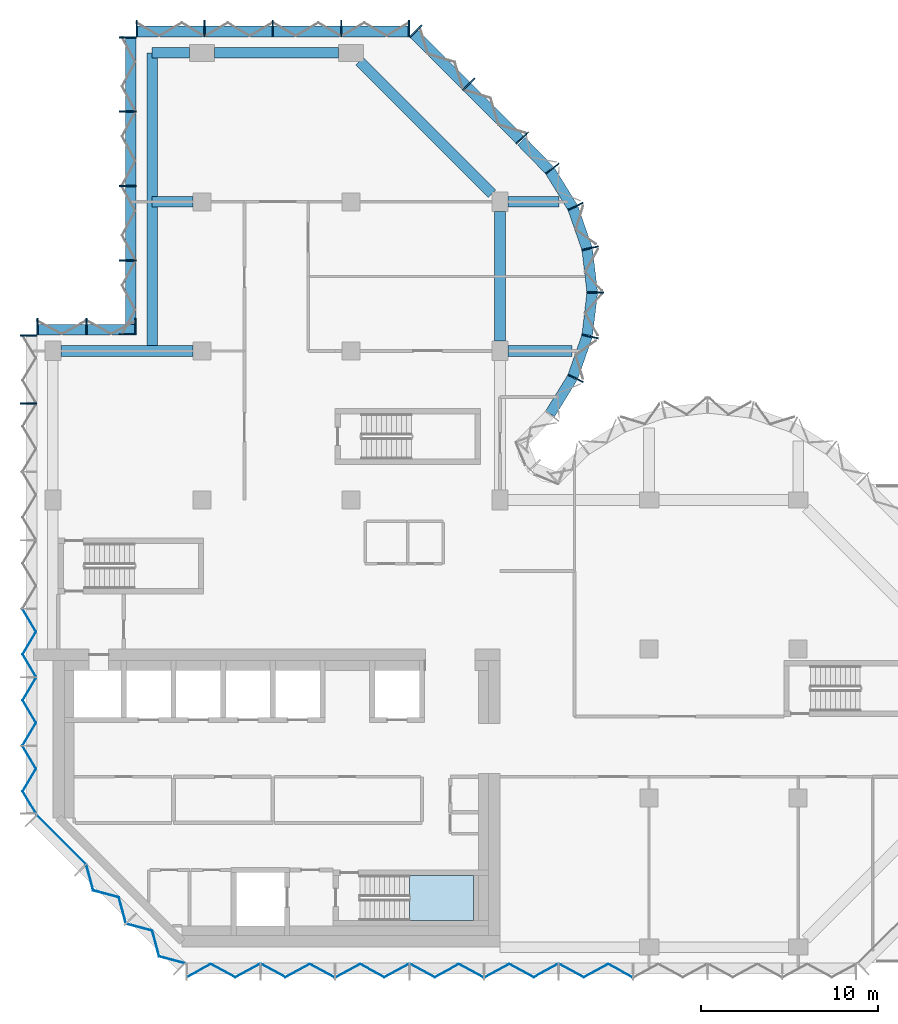
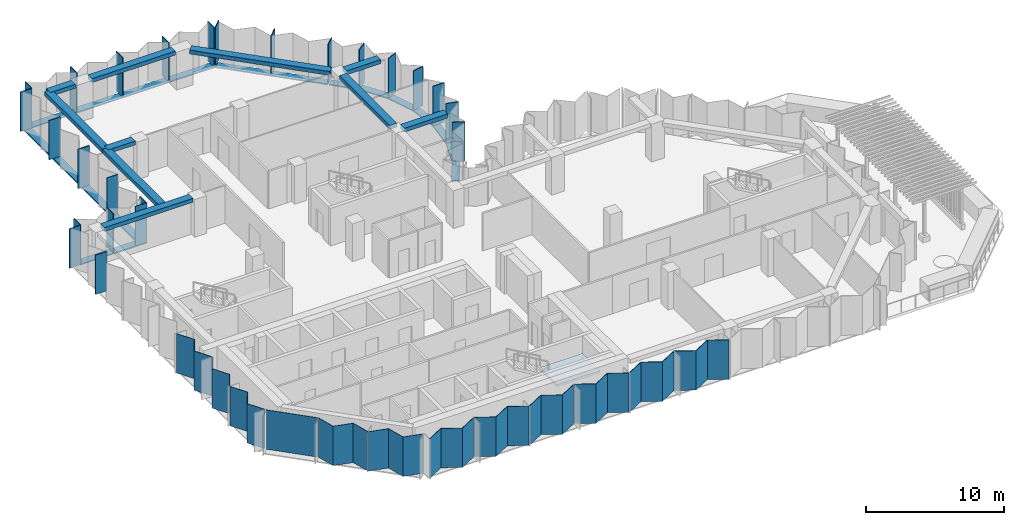
# One storey, part 5 of 14: 35 members, 12 plates, 10 beams, 1 slab, 9 elements without a shape of their own.
"""IFC4 building model written with IfcOpenShell, lengths in metres."""

from ifc_helpers import new_model, si_unit, direction, frame, origin, origin_2d, place, context, subcontext, project, spatial, polyline, rectangle, outline, extrude, material, layer, layer_set, material_profile, profile_set, type_object, element, aggregate, save


model = new_model("IFC4")

# Units and contexts
model_context = context("Model", 3, precision=1e-05, world=origin(), true_north=direction((0.0, 1.0)))
body_context = subcontext(model_context, "Body", "Model", "MODEL_VIEW")
ifc_project = project(units=[si_unit("LENGTHUNIT", "METRE"), si_unit("AREAUNIT", "SQUARE_METRE"), si_unit("VOLUMEUNIT", "CUBIC_METRE"), si_unit("PLANEANGLEUNIT", "RADIAN"), si_unit("MASSUNIT", "GRAM", prefix="KILO")], contexts=[model_context])

# Site, building, storey
site_placement = place(None, origin())
site = spatial("IfcSite", under=ifc_project, at=site_placement, CompositionType="ELEMENT")
building_placement = place(site_placement, origin())
building = spatial("IfcBuilding", under=site, at=building_placement, Name="Brevane Broadcast Tower", CompositionType="ELEMENT")
storey_placement = place(building_placement, frame((0.0, 0.0, 184.800048828125)))
storey = spatial("IfcBuildingStorey", under=building, at=storey_placement, Name="L46", CompositionType="ELEMENT", Elevation=184.800048828125)

# Curtain wall, members
ifc_material_1 = material(Name="Aluminium 6063-T6 bronze anodised", Category="aluminium")
curtain_wall_type = type_object("IfcCurtainWallType", Name="CW-1 curtain wall", PredefinedType="NOTDEFINED", material=ifc_material_1)
curtain_wall_1_placement = place(storey_placement, origin())
curtain_wall_1 = element("IfcCurtainWall", 1, at=curtain_wall_1_placement, inside=storey, type_object=curtain_wall_type, Name="CW-1 typical tilted unit L46 north bow", PredefinedType="NOTDEFINED")
ifc_material_profile_1 = material_profile(ifc_material_1, rectangle(XDim=0.949951171875, YDim=0.070068359375, at=origin_2d()), Name="RECT 70x950")
ifc_profile_set_1 = profile_set([ifc_material_profile_1], Name="Aluminium 6063-T6 bronze anodised")
member_type_1 = type_object("IfcMemberType", Name="CW-1 mullion 70x950", PredefinedType="MULLION", material=ifc_profile_set_1)
member_1_placement = place(storey_placement, frame((29.4580078125, 32.05322265625, -0.150146484375), z_axis=(0.0, 0.0, 1.0), x_axis=(-0.902860518823, 0.429933580394, 0.0)))
member_1 = element("IfcMember", 2, at=member_1_placement, type_object=member_type_1, Name="CW-1 mullion", PredefinedType="MULLION", context=body_context, shape_type="SweptSolid", body=[
    extrude(rectangle(XDim=0.949951171875, YDim=0.070068359375, at=origin_2d()), origin(), (0.0, 0.0, 1.0), 3.5),
])
member_2_placement = place(storey_placement, frame((30.28076171875, 34.411865234375, -0.150146484375), z_axis=(0.0, 0.0, 1.0), x_axis=(-0.974403418306, 0.224806535479, 0.0)))
member_2 = element("IfcMember", 3, at=member_2_placement, type_object=member_type_1, Name="CW-1 mullion", PredefinedType="MULLION", context=body_context, shape_type="SweptSolid", body=[
    extrude(rectangle(XDim=0.949951171875, YDim=0.070068359375, at=origin_2d()), origin(), (0.0, 0.0, 1.0), 3.5),
])
member_3_placement = place(storey_placement, frame((30.574951171875, 36.89990234375, -0.150146484375), z_axis=(0.0, 0.0, 1.0), x_axis=(-1.0, 0.0, 0.0)))
member_3 = element("IfcMember", 4, at=member_3_placement, type_object=member_type_1, Name="CW-1 mullion", PredefinedType="MULLION", context=body_context, shape_type="SweptSolid", body=[
    extrude(rectangle(XDim=0.949951171875, YDim=0.070068359375, at=origin_2d()), origin(), (0.0, 0.0, 1.0), 3.5),
])
member_4_placement = place(storey_placement, frame((30.28076171875, 39.38818359375, -0.150146484375), z_axis=(0.0, 0.0, 1.0), x_axis=(-0.974403418306, -0.224806535479, 0.0)))
member_4 = element("IfcMember", 5, at=member_4_placement, type_object=member_type_1, Name="CW-1 mullion", PredefinedType="MULLION", context=body_context, shape_type="SweptSolid", body=[
    extrude(rectangle(XDim=0.949951171875, YDim=0.070068359375, at=origin_2d()), origin(), (0.0, 0.0, 1.0), 3.5),
])
member_5_placement = place(storey_placement, frame((29.4580078125, 41.746826171875, -0.150146484375), z_axis=(0.0, 0.0, 1.0), x_axis=(-0.902860518823, -0.429933580394, 0.0)))
member_5 = element("IfcMember", 6, at=member_5_placement, type_object=member_type_1, Name="CW-1 mullion", PredefinedType="MULLION", context=body_context, shape_type="SweptSolid", body=[
    extrude(rectangle(XDim=0.949951171875, YDim=0.070068359375, at=origin_2d()), origin(), (0.0, 0.0, 1.0), 3.5),
])
member_6_placement = place(storey_placement, frame((28.1455078125, 43.8720703125, -0.150146484375), z_axis=(0.0, 0.0, 1.0), x_axis=(-0.788706673841, -0.614769698862, 0.0)))
member_6 = element("IfcMember", 7, at=member_6_placement, type_object=member_type_1, Name="CW-1 mullion", PredefinedType="MULLION", context=body_context, shape_type="SweptSolid", body=[
    extrude(rectangle(XDim=0.949951171875, YDim=0.070068359375, at=origin_2d()), origin(), (0.0, 0.0, 1.0), 3.5),
])
member_7_placement = place(storey_placement, frame((26.465087890625, 45.60595703125, -0.150146484375), z_axis=(0.0, 0.0, 1.0), x_axis=(-0.717253728729, -0.696812089895, 0.0)))
member_7 = element("IfcMember", 8, at=member_7_placement, type_object=member_type_1, Name="CW-1 mullion", PredefinedType="MULLION", context=body_context, shape_type="SweptSolid", body=[
    extrude(rectangle(XDim=0.949951171875, YDim=0.070068359375, at=origin_2d()), origin(), (0.0, 0.0, 1.0), 3.5),
])

curtain_wall_2_placement = place(storey_placement, origin())
curtain_wall_2 = element("IfcCurtainWall", 9, at=curtain_wall_2_placement, inside=storey, type_object=curtain_wall_type, Name="CW-1 typical tilted unit L46 north arm north-east chamfer", PredefinedType="NOTDEFINED")
member_8_placement = place(storey_placement, frame((23.435791015625, 48.635986328125, -0.150146484375), z_axis=(0.0, 0.0, 1.0), x_axis=(-0.707106781187, -0.707106781187, 0.0)))
member_8 = element("IfcMember", 10, at=member_8_placement, type_object=member_type_1, Name="CW-1 mullion", PredefinedType="MULLION", context=body_context, shape_type="SweptSolid", body=[
    extrude(rectangle(XDim=0.949951171875, YDim=0.070068359375, at=origin_2d()), origin(), (0.0, 0.0, 1.0), 3.5),
])
member_9_placement = place(storey_placement, frame((20.460693359375, 51.611083984375, -0.150146484375), z_axis=(0.0, 0.0, 1.0), x_axis=(-0.707106781187, -0.707106781187, 0.0)))
member_9 = element("IfcMember", 11, at=member_9_placement, type_object=member_type_1, Name="CW-1 mullion", PredefinedType="MULLION", context=body_context, shape_type="SweptSolid", body=[
    extrude(rectangle(XDim=0.949951171875, YDim=0.070068359375, at=origin_2d()), origin(), (0.0, 0.0, 1.0), 3.5),
])

curtain_wall_3_placement = place(storey_placement, origin())
curtain_wall_3 = element("IfcCurtainWall", 12, at=curtain_wall_3_placement, inside=storey, type_object=curtain_wall_type, Name="CW-1 typical tilted unit L46 north end", PredefinedType="NOTDEFINED")
member_10_placement = place(storey_placement, frame((20.06494140625, 51.77490234375, -0.150146484375), z_axis=(0.0, 0.0, 1.0), x_axis=(0.0, -1.0, 0.0)))
member_10 = element("IfcMember", 13, at=member_10_placement, type_object=member_type_1, Name="CW-1 mullion", PredefinedType="MULLION", context=body_context, shape_type="SweptSolid", body=[
    extrude(rectangle(XDim=0.949951171875, YDim=0.070068359375, at=origin_2d()), origin(), (0.0, 0.0, 1.0), 3.5),
])
member_11_placement = place(storey_placement, frame((16.25, 51.77490234375, -0.150146484375), z_axis=(0.0, 0.0, 1.0), x_axis=(0.0, -1.0, 0.0)))
member_11 = element("IfcMember", 14, at=member_11_placement, type_object=member_type_1, Name="CW-1 mullion", PredefinedType="MULLION", context=body_context, shape_type="SweptSolid", body=[
    extrude(rectangle(XDim=0.949951171875, YDim=0.070068359375, at=origin_2d()), origin(), (0.0, 0.0, 1.0), 3.5),
])
member_12_placement = place(storey_placement, frame((12.39990234375, 51.77490234375, -0.150146484375), z_axis=(0.0, 0.0, 1.0), x_axis=(0.0, -1.0, 0.0)))
member_12 = element("IfcMember", 15, at=member_12_placement, type_object=member_type_1, Name="CW-1 mullion", PredefinedType="MULLION", context=body_context, shape_type="SweptSolid", body=[
    extrude(rectangle(XDim=0.949951171875, YDim=0.070068359375, at=origin_2d()), origin(), (0.0, 0.0, 1.0), 3.5),
])
member_13_placement = place(storey_placement, frame((8.550048828125, 51.77490234375, -0.150146484375), z_axis=(0.0, 0.0, 1.0), x_axis=(0.0, -1.0, 0.0)))
member_13 = element("IfcMember", 16, at=member_13_placement, type_object=member_type_1, Name="CW-1 mullion", PredefinedType="MULLION", context=body_context, shape_type="SweptSolid", body=[
    extrude(rectangle(XDim=0.949951171875, YDim=0.070068359375, at=origin_2d()), origin(), (0.0, 0.0, 1.0), 3.5),
])
member_14_placement = place(storey_placement, frame((4.735107421875, 51.77490234375, -0.150146484375), z_axis=(0.0, 0.0, 1.0), x_axis=(0.0, -1.0, 0.0)))
member_14 = element("IfcMember", 17, at=member_14_placement, type_object=member_type_1, Name="CW-1 mullion", PredefinedType="MULLION", context=body_context, shape_type="SweptSolid", body=[
    extrude(rectangle(XDim=0.949951171875, YDim=0.070068359375, at=origin_2d()), origin(), (0.0, 0.0, 1.0), 3.5),
])

curtain_wall_4_placement = place(storey_placement, origin())
curtain_wall_4 = element("IfcCurtainWall", 18, at=curtain_wall_4_placement, inside=storey, type_object=curtain_wall_type, Name="CW-1 typical tilted unit L46 north wing west face, lower block", PredefinedType="NOTDEFINED")
member_15_placement = place(storey_placement, frame((4.22509765625, 51.264892578125, -0.150146484375), z_axis=(0.0, 0.0, 1.0), x_axis=(1.0, 0.0, 0.0)))
member_15 = element("IfcMember", 19, at=member_15_placement, type_object=member_type_1, Name="CW-1 mullion", PredefinedType="MULLION", context=body_context, shape_type="SweptSolid", body=[
    extrude(rectangle(XDim=0.949951171875, YDim=0.070068359375, at=origin_2d()), origin(), (0.0, 0.0, 1.0), 3.5),
])
member_16_placement = place(storey_placement, frame((4.22509765625, 47.10009765625, -0.150146484375), z_axis=(0.0, 0.0, 1.0), x_axis=(1.0, 0.0, 0.0)))
member_16 = element("IfcMember", 20, at=member_16_placement, type_object=member_type_1, Name="CW-1 mullion", PredefinedType="MULLION", context=body_context, shape_type="SweptSolid", body=[
    extrude(rectangle(XDim=0.949951171875, YDim=0.070068359375, at=origin_2d()), origin(), (0.0, 0.0, 1.0), 3.5),
])
member_17_placement = place(storey_placement, frame((4.22509765625, 42.89990234375, -0.150146484375), z_axis=(0.0, 0.0, 1.0), x_axis=(1.0, 0.0, 0.0)))
member_17 = element("IfcMember", 21, at=member_17_placement, type_object=member_type_1, Name="CW-1 mullion", PredefinedType="MULLION", context=body_context, shape_type="SweptSolid", body=[
    extrude(rectangle(XDim=0.949951171875, YDim=0.070068359375, at=origin_2d()), origin(), (0.0, 0.0, 1.0), 3.5),
])
member_18_placement = place(storey_placement, frame((4.22509765625, 38.699951171875, -0.150146484375), z_axis=(0.0, 0.0, 1.0), x_axis=(1.0, 0.0, 0.0)))
member_18 = element("IfcMember", 22, at=member_18_placement, type_object=member_type_1, Name="CW-1 mullion", PredefinedType="MULLION", context=body_context, shape_type="SweptSolid", body=[
    extrude(rectangle(XDim=0.949951171875, YDim=0.070068359375, at=origin_2d()), origin(), (0.0, 0.0, 1.0), 3.5),
])
member_19_placement = place(storey_placement, frame((4.22509765625, 34.534912109375, -0.150146484375), z_axis=(0.0, 0.0, 1.0), x_axis=(1.0, 0.0, 0.0)))
member_19 = element("IfcMember", 23, at=member_19_placement, type_object=member_type_1, Name="CW-1 mullion", PredefinedType="MULLION", context=body_context, shape_type="SweptSolid", body=[
    extrude(rectangle(XDim=0.949951171875, YDim=0.070068359375, at=origin_2d()), origin(), (0.0, 0.0, 1.0), 3.5),
])

curtain_wall_5_placement = place(storey_placement, origin())
curtain_wall_5 = element("IfcCurtainWall", 24, at=curtain_wall_5_placement, inside=storey, type_object=curtain_wall_type, Name="CW-1 typical tilted unit L46 north wing west return, lower block", PredefinedType="NOTDEFINED")
member_20_placement = place(storey_placement, frame((4.6650390625, 34.97509765625, -0.150146484375), z_axis=(0.0, 0.0, 1.0), x_axis=(0.0, -1.0, 0.0)))
member_20 = element("IfcMember", 25, at=member_20_placement, type_object=member_type_1, Name="CW-1 mullion", PredefinedType="MULLION", context=body_context, shape_type="SweptSolid", body=[
    extrude(rectangle(XDim=0.949951171875, YDim=0.070068359375, at=origin_2d()), origin(), (0.0, 0.0, 1.0), 3.5),
])
member_21_placement = place(storey_placement, frame((1.89990234375, 34.97509765625, -0.150146484375), z_axis=(0.0, 0.0, 1.0), x_axis=(0.0, -1.0, 0.0)))
member_21 = element("IfcMember", 26, at=member_21_placement, type_object=member_type_1, Name="CW-1 mullion", PredefinedType="MULLION", context=body_context, shape_type="SweptSolid", body=[
    extrude(rectangle(XDim=0.949951171875, YDim=0.070068359375, at=origin_2d()), origin(), (0.0, 0.0, 1.0), 3.5),
])
member_22_placement = place(storey_placement, frame((-0.864990234375, 34.97509765625, -0.150146484375), z_axis=(0.0, 0.0, 1.0), x_axis=(0.0, -1.0, 0.0)))
member_22 = element("IfcMember", 27, at=member_22_placement, type_object=member_type_1, Name="CW-1 mullion", PredefinedType="MULLION", context=body_context, shape_type="SweptSolid", body=[
    extrude(rectangle(XDim=0.949951171875, YDim=0.070068359375, at=origin_2d()), origin(), (0.0, 0.0, 1.0), 3.5),
])

curtain_wall_6_placement = place(storey_placement, origin())
curtain_wall_6 = element("IfcCurtainWall", 28, at=curtain_wall_6_placement, inside=storey, type_object=curtain_wall_type, Name="CW-1 typical tilted unit L46 west face", PredefinedType="NOTDEFINED")
member_23_placement = place(storey_placement, frame((-1.375, 34.465087890625, -0.150146484375), z_axis=(0.0, 0.0, 1.0), x_axis=(1.0, 0.0, 0.0)))
member_23 = element("IfcMember", 29, at=member_23_placement, type_object=member_type_1, Name="CW-1 mullion", PredefinedType="MULLION", context=body_context, shape_type="SweptSolid", body=[
    extrude(rectangle(XDim=0.949951171875, YDim=0.070068359375, at=origin_2d()), origin(), (0.0, 0.0, 1.0), 3.5),
])
member_24_placement = place(storey_placement, frame((-1.375, 30.642822265625, -0.150146484375), z_axis=(0.0, 0.0, 1.0), x_axis=(1.0, 0.0, 0.0)))
member_24 = element("IfcMember", 30, at=member_24_placement, type_object=member_type_1, Name="CW-1 mullion", PredefinedType="MULLION", context=body_context, shape_type="SweptSolid", body=[
    extrude(rectangle(XDim=0.949951171875, YDim=0.070068359375, at=origin_2d()), origin(), (0.0, 0.0, 1.0), 3.5),
])

# Member
ifc_material_profile_2 = material_profile(ifc_material_1, rectangle(XDim=0.60009765625, YDim=0.10009765625, at=origin_2d()), Name="RECT 100x600")
ifc_profile_set_2 = profile_set([ifc_material_profile_2], Name="Aluminium 6063-T6 bronze anodised")
member_type_2 = type_object("IfcMemberType", Name="CW-1 transom 100x600", PredefinedType="USERDEFINED", material=ifc_profile_set_2)
member_25_placement = place(storey_placement, frame((28.023193359375, 30.0576171875, -0.199951171875), z_axis=(0.525427766759, 0.850838211365, 0.0), x_axis=(-0.850838211365, 0.525427766759, 0.0)))
member_25 = element("IfcMember", 31, at=member_25_placement, type_object=member_type_2, Name="CW-1 transom", ObjectType="TRANSOM", PredefinedType="USERDEFINED", context=body_context, shape_type="SweptSolid", body=[
    extrude(rectangle(XDim=0.60009765625, YDim=0.10009765625, at=origin_2d()), origin(), (0.0, 0.0, 1.0), 2.394775390625),
])

member_26_placement = place(storey_placement, frame((29.314208984375, 32.163818359375, -0.199951171875), z_axis=(0.329378497041, 0.944197969542, 0.0), x_axis=(-0.944197969542, 0.329378497041, 0.0)))
member_26 = element("IfcMember", 32, at=member_26_placement, type_object=member_type_2, Name="CW-1 transom", ObjectType="TRANSOM", PredefinedType="USERDEFINED", context=body_context, shape_type="SweptSolid", body=[
    extrude(rectangle(XDim=0.60009765625, YDim=0.10009765625, at=origin_2d()), origin(), (0.0, 0.0, 1.0), 2.394775390625),
])

member_27_placement = place(storey_placement, frame((30.117431640625, 34.499755859375, -0.199951171875), z_axis=(0.117603307202, 0.993060653805, 0.0), x_axis=(-0.993060653805, 0.117603307202, 0.0)))
member_27 = element("IfcMember", 33, at=member_27_placement, type_object=member_type_2, Name="CW-1 transom", ObjectType="TRANSOM", PredefinedType="USERDEFINED", context=body_context, shape_type="SweptSolid", body=[
    extrude(rectangle(XDim=0.60009765625, YDim=0.10009765625, at=origin_2d()), origin(), (0.0, 0.0, 1.0), 2.397705078125),
])

member_28_placement = place(storey_placement, frame((30.3994140625, 36.9189453125, -0.199951171875), z_axis=(-0.117591417, 0.993062061831, 0.0), x_axis=(-0.993062061831, -0.117591417, 0.0)))
member_28 = element("IfcMember", 34, at=member_28_placement, type_object=member_type_2, Name="CW-1 transom", ObjectType="TRANSOM", PredefinedType="USERDEFINED", context=body_context, shape_type="SweptSolid", body=[
    extrude(rectangle(XDim=0.60009765625, YDim=0.10009765625, at=origin_2d()), origin(), (0.0, 0.0, 1.0), 2.39794921875),
])

member_29_placement = place(storey_placement, frame((30.10302734375, 39.375, -0.199951171875), z_axis=(-0.329378497041, 0.944197969542, 0.0), x_axis=(-0.944197969542, -0.329378497041, 0.0)))
member_29 = element("IfcMember", 35, at=member_29_placement, type_object=member_type_2, Name="CW-1 transom", ObjectType="TRANSOM", PredefinedType="USERDEFINED", context=body_context, shape_type="SweptSolid", body=[
    extrude(rectangle(XDim=0.60009765625, YDim=0.10009765625, at=origin_2d()), origin(), (0.0, 0.0, 1.0), 2.394775390625),
])

member_30_placement = place(storey_placement, frame((29.281494140625, 41.704833984375, -0.199951171875), z_axis=(-0.525473345162, 0.850810063131, 0.0), x_axis=(-0.850810063131, -0.525473345162, 0.0)))
member_30 = element("IfcMember", 36, at=member_30_placement, type_object=member_type_2, Name="CW-1 transom", ObjectType="TRANSOM", PredefinedType="USERDEFINED", context=body_context, shape_type="SweptSolid", body=[
    extrude(rectangle(XDim=0.60009765625, YDim=0.10009765625, at=origin_2d()), origin(), (0.0, 0.0, 1.0), 2.39453125),
])

member_31_placement = place(storey_placement, frame((27.974365234375, 43.800537109375, -0.199951171875), z_axis=(-0.696823999134, 0.71724215871, 0.0), x_axis=(-0.71724215871, -0.696823999134, 0.0)))
member_31 = element("IfcMember", 37, at=member_31_placement, type_object=member_type_2, Name="CW-1 transom", ObjectType="TRANSOM", PredefinedType="USERDEFINED", context=body_context, shape_type="SweptSolid", body=[
    extrude(rectangle(XDim=0.60009765625, YDim=0.10009765625, at=origin_2d()), origin(), (0.0, 0.0, 1.0), 2.247802734375),
])

aggregate(curtain_wall_1, [member_1, member_2, member_3, member_4, member_5, member_6, member_7, member_25, member_26, member_27, member_28, member_29, member_30, member_31])

member_32_placement = place(storey_placement, frame((26.31201171875, 45.51220703125, -0.199951171875), z_axis=(-0.707106781187, 0.707106781187, 0.0), x_axis=(-0.707106781187, -0.707106781187, 0.0)))
member_32 = element("IfcMember", 38, at=member_32_placement, type_object=member_type_2, Name="CW-1 transom", ObjectType="TRANSOM", PredefinedType="USERDEFINED", context=body_context, shape_type="SweptSolid", body=[
    extrude(rectangle(XDim=0.60009765625, YDim=0.10009765625, at=origin_2d()), origin(), (0.0, 0.0, 1.0), 8.4853515625),
])

aggregate(curtain_wall_2, [member_8, member_9, member_32])

member_33_placement = place(storey_placement, frame((20.10009765625, 51.60009765625, -0.199951171875), z_axis=(-1.0, 0.0, 0.0), x_axis=(0.0, -1.0, 0.0)))
member_33 = element("IfcMember", 39, at=member_33_placement, type_object=member_type_2, Name="CW-1 transom", ObjectType="TRANSOM", PredefinedType="USERDEFINED", context=body_context, shape_type="SweptSolid", body=[
    extrude(rectangle(XDim=0.60009765625, YDim=0.10009765625, at=origin_2d()), origin(), (0.0, 0.0, 1.0), 15.400146484375),
])

aggregate(curtain_wall_3, [member_10, member_11, member_12, member_13, member_14, member_33])

member_34_placement = place(storey_placement, frame((4.39990234375, 51.300048828125, -0.199951171875), z_axis=(0.0, -1.0, 0.0), x_axis=(1.0, 0.0, 0.0)))
member_34 = element("IfcMember", 40, at=member_34_placement, type_object=member_type_2, Name="CW-1 transom", ObjectType="TRANSOM", PredefinedType="USERDEFINED", context=body_context, shape_type="SweptSolid", body=[
    extrude(rectangle(XDim=0.60009765625, YDim=0.10009765625, at=origin_2d()), origin(), (0.0, 0.0, 1.0), 16.800048828125),
])

aggregate(curtain_wall_4, [member_15, member_16, member_17, member_18, member_19, member_34])

member_35_placement = place(storey_placement, frame((4.699951171875, 34.800048828125, -0.199951171875), z_axis=(-1.0, 0.0, 0.0), x_axis=(0.0, -1.0, 0.0)))
member_35 = element("IfcMember", 41, at=member_35_placement, type_object=member_type_2, Name="CW-1 transom", ObjectType="TRANSOM", PredefinedType="USERDEFINED", context=body_context, shape_type="SweptSolid", body=[
    extrude(rectangle(XDim=0.60009765625, YDim=0.10009765625, at=origin_2d()), origin(), (0.0, 0.0, 1.0), 5.599853515625),
])

aggregate(curtain_wall_5, [member_20, member_21, member_22, member_35])

# Beams
ifc_material_2 = material(Name="Concrete C40/50", Category="concrete")
ifc_material_profile_3 = material_profile(ifc_material_2, rectangle(XDim=0.60009765625, YDim=0.35009765625, at=origin_2d()), Name="RC 600x350")
ifc_profile_set_3 = profile_set([ifc_material_profile_3], Name="Concrete C40/50")
beam_type_1 = type_object("IfcBeamType", Name="RC BRACKET BEAM 600x350 C40/50", PredefinedType="BEAM", material=ifc_profile_set_3)
beam_1_placement = place(storey_placement, frame((25.64990234375, 33.60009765625, 3.175048828125), z_axis=(1.0, 0.0, 0.0), x_axis=(0.0, 1.0, 0.0)))
element("IfcBeam", 42, at=beam_1_placement, inside=storey, type_object=beam_type_1, Name="EB2 L46-1", PredefinedType="BEAM", context=body_context, shape_type="SweptSolid", body=[
    extrude(rectangle(XDim=0.60009765625, YDim=0.35009765625, at=origin_2d()), origin(), (0.0, 0.0, 1.0), 3.612060546875),
])
beam_2_placement = place(storey_placement, frame((25.64990234375, 42.0, 3.175048828125), z_axis=(1.0, 0.0, 0.0), x_axis=(0.0, 1.0, 0.0)))
element("IfcBeam", 43, at=beam_2_placement, inside=storey, type_object=beam_type_1, Name="EB2 L46-2", PredefinedType="BEAM", context=body_context, shape_type="SweptSolid", body=[
    extrude(rectangle(XDim=0.60009765625, YDim=0.35009765625, at=origin_2d()), origin(), (0.0, 0.0, 1.0), 2.861572265625),
])
beam_3_placement = place(storey_placement, frame((7.89990234375, 42.0, 3.175048828125), z_axis=(-1.0, 0.0, 0.0), x_axis=(0.0, -1.0, 0.0)))
element("IfcBeam", 44, at=beam_3_placement, inside=storey, type_object=beam_type_1, Name="EB2 L46-5", PredefinedType="BEAM", context=body_context, shape_type="SweptSolid", body=[
    extrude(rectangle(XDim=0.60009765625, YDim=0.35009765625, at=origin_2d()), origin(), (0.0, 0.0, 1.0), 2.2998046875),
])
ifc_material_profile_4 = material_profile(ifc_material_2, rectangle(XDim=0.60009765625, YDim=0.35009765625, at=origin_2d()), Name="RC 600x350")
ifc_profile_set_4 = profile_set([ifc_material_profile_4], Name="Concrete C40/50")
beam_type_2 = type_object("IfcBeamType", Name="RC SPANDREL BEAM 600x350 C40/50", PredefinedType="SPANDREL", material=ifc_profile_set_4)
beam_4_placement = place(storey_placement, frame((25.199951171875, 34.14990234375, 3.175048828125), z_axis=(0.0, 1.0, 0.0), x_axis=(-1.0, 0.0, 0.0)))
element("IfcBeam", 45, at=beam_4_placement, inside=storey, type_object=beam_type_2, Name="EB1 L46-9", PredefinedType="SPANDREL", context=body_context, shape_type="SweptSolid", body=[
    extrude(rectangle(XDim=0.60009765625, YDim=0.35009765625, at=origin_2d()), origin(), (0.0, 0.0, 1.0), 7.300048828125),
])
beam_5_placement = place(storey_placement, frame((24.75, 42.449951171875, 3.175048828125), z_axis=(-0.707106781187, 0.707106781187, 0.0), x_axis=(-0.707106781187, -0.707106781187, 0.0)))
element("IfcBeam", 46, at=beam_5_placement, inside=storey, type_object=beam_type_2, Name="EB1 L46-10", PredefinedType="SPANDREL", context=body_context, shape_type="SweptSolid", body=[
    extrude(rectangle(XDim=0.60009765625, YDim=0.35009765625, at=origin_2d()), origin(), (0.0, 0.0, 1.0), 10.5712890625),
])
beam_6_placement = place(storey_placement, frame((16.10009765625, 50.39990234375, 3.175048828125), z_axis=(-1.0, 0.0, 0.0), x_axis=(0.0, -1.0, 0.0)))
element("IfcBeam", 47, at=beam_6_placement, inside=storey, type_object=beam_type_2, Name="EB1 L46-11", PredefinedType="SPANDREL", context=body_context, shape_type="SweptSolid", body=[
    extrude(rectangle(XDim=0.60009765625, YDim=0.35009765625, at=origin_2d()), origin(), (0.0, 0.0, 1.0), 7.0),
])
beam_7_placement = place(storey_placement, frame((0.449951171875, 33.60009765625, 3.175048828125), z_axis=(1.0, 0.0, 0.0), x_axis=(0.0, 1.0, 0.0)))
element("IfcBeam", 48, at=beam_7_placement, inside=storey, type_object=beam_type_2, Name="EB1 L46-14", PredefinedType="SPANDREL", context=body_context, shape_type="SweptSolid", body=[
    extrude(rectangle(XDim=0.60009765625, YDim=0.35009765625, at=origin_2d()), origin(), (0.0, 0.0, 1.0), 7.449951171875),
])
for number, where, z_axis, x_axis, name in (
    (49, (5.60009765625, 33.60009765625, 3.175048828125), (0.0, 1.0, 0.0), (-1.0, 0.0, 0.0), "EB1 L46-15"),
    (50, (5.60009765625, 42.0, 3.175048828125), (0.0, 1.0, 0.0), (-1.0, 0.0, 0.0), "EB1 L46-16"),
):
    element("IfcBeam", number, at=place(storey_placement, frame(where, z_axis=z_axis, x_axis=x_axis)), inside=storey, type_object=beam_type_2, Name=name, PredefinedType="SPANDREL", context=body_context, shape_type="SweptSolid", body=[
        extrude(rectangle(XDim=0.60009765625, YDim=0.35009765625, at=origin_2d()), origin(), (0.0, 0.0, 1.0), 8.39990234375),
    ])
beam_8_placement = place(storey_placement, frame((5.60009765625, 50.39990234375, 3.175048828125), z_axis=(1.0, 0.0, 0.0), x_axis=(0.0, 1.0, 0.0)))
element("IfcBeam", 51, at=beam_8_placement, inside=storey, type_object=beam_type_2, Name="EB1 L46-17", PredefinedType="SPANDREL", context=body_context, shape_type="SweptSolid", body=[
    extrude(rectangle(XDim=0.60009765625, YDim=0.35009765625, at=origin_2d()), origin(), (0.0, 0.0, 1.0), 2.099853515625),
])

# Curtain wall, plates
curtain_wall_7_placement = place(storey_placement, origin())
curtain_wall_7 = element("IfcCurtainWall", 52, at=curtain_wall_7_placement, inside=storey, type_object=curtain_wall_type, Name="CW-1 typical tilted unit L46 south face", PredefinedType="NOTDEFINED")
ifc_material_3 = material(Name="Laminated glass bronze-tinted", Category="glass")
ifc_layer_1 = layer(ifc_material_3, 0.0400390625)
ifc_layer_set_1 = layer_set([ifc_layer_1], Name="CW tall glass panel 40")
plate_type = type_object("IfcPlateType", Name="CW tall glass panel 40", PredefinedType="CURTAIN_PANEL", material=ifc_layer_set_1)
plate_1_placement = place(storey_placement, frame((0.0, 0.0, -0.150146484375)))
plate_1 = element("IfcPlate", 53, at=plate_1_placement, type_object=plate_type, Name="CW-1 glass panel", PredefinedType="CURTAIN_PANEL", context=body_context, shape_type="SweptSolid", body=[
    extrude(outline(polyline([(7.534912109375, -1.671630859375), (7.534912109375, -1.717041015625), (8.91162109375, -0.97265625), (10.288330078125, -1.717041015625), (11.6650390625, -0.97265625), (11.6650390625, -0.92724609375), (10.288330078125, -1.671630859375), (8.91162109375, -0.92724609375), (7.534912109375, -1.671630859375)])), origin(), (0.0, 0.0, 1.0), 3.5),
])
plate_2_placement = place(storey_placement, frame((0.0, 0.0, -0.150146484375)))
plate_2 = element("IfcPlate", 54, at=plate_2_placement, type_object=plate_type, Name="CW-1 glass panel", PredefinedType="CURTAIN_PANEL", context=body_context, shape_type="SweptSolid", body=[
    extrude(outline(polyline([(11.735107421875, -0.92724609375), (11.735107421875, -0.97265625), (13.11181640625, -1.717041015625), (14.48828125, -0.97265625), (15.864990234375, -1.717041015625), (15.864990234375, -1.671630859375), (14.48828125, -0.92724609375), (13.11181640625, -1.671630859375), (11.735107421875, -0.92724609375)])), origin(), (0.0, 0.0, 1.0), 3.5),
])
plate_3_placement = place(storey_placement, frame((0.0, 0.0, -0.150146484375)))
plate_3 = element("IfcPlate", 55, at=plate_3_placement, type_object=plate_type, Name="CW-1 glass panel", PredefinedType="CURTAIN_PANEL", context=body_context, shape_type="SweptSolid", body=[
    extrude(outline(polyline([(15.93505859375, -1.671630859375), (15.93505859375, -1.717041015625), (17.311767578125, -0.97265625), (18.688232421875, -1.717041015625), (20.06494140625, -0.97265625), (20.06494140625, -0.92724609375), (18.688232421875, -1.671630859375), (17.311767578125, -0.92724609375), (15.93505859375, -1.671630859375)])), origin(), (0.0, 0.0, 1.0), 3.5),
])
plate_4_placement = place(storey_placement, frame((0.0, 0.0, -0.150146484375)))
plate_4 = element("IfcPlate", 56, at=plate_4_placement, type_object=plate_type, Name="CW-1 glass panel", PredefinedType="CURTAIN_PANEL", context=body_context, shape_type="SweptSolid", body=[
    extrude(outline(polyline([(20.135009765625, -0.92724609375), (20.135009765625, -0.97265625), (21.51171875, -1.717041015625), (22.88818359375, -0.97265625), (24.264892578125, -1.717041015625), (24.264892578125, -1.671630859375), (22.88818359375, -0.92724609375), (21.51171875, -1.671630859375), (20.135009765625, -0.92724609375)])), origin(), (0.0, 0.0, 1.0), 3.5),
])
plate_5_placement = place(storey_placement, frame((0.0, 0.0, -0.150146484375)))
plate_5 = element("IfcPlate", 57, at=plate_5_placement, type_object=plate_type, Name="CW-1 glass panel", PredefinedType="CURTAIN_PANEL", context=body_context, shape_type="SweptSolid", body=[
    extrude(outline(polyline([(24.3349609375, -1.671630859375), (24.3349609375, -1.717041015625), (25.711669921875, -0.97265625), (27.08837890625, -1.717041015625), (28.465087890625, -0.97265625), (28.465087890625, -0.92724609375), (27.08837890625, -1.671630859375), (25.711669921875, -0.92724609375), (24.3349609375, -1.671630859375)])), origin(), (0.0, 0.0, 1.0), 3.5),
])
plate_6_placement = place(storey_placement, frame((0.0, 0.0, -0.150146484375)))
plate_6 = element("IfcPlate", 58, at=plate_6_placement, type_object=plate_type, Name="CW-1 glass panel", PredefinedType="CURTAIN_PANEL", context=body_context, shape_type="SweptSolid", body=[
    extrude(outline(polyline([(28.534912109375, -0.92724609375), (28.534912109375, -0.97265625), (29.91162109375, -1.717041015625), (31.288330078125, -0.97265625), (32.6650390625, -1.717041015625), (32.6650390625, -1.671630859375), (31.288330078125, -0.92724609375), (29.91162109375, -1.671630859375), (28.534912109375, -0.92724609375)])), origin(), (0.0, 0.0, 1.0), 3.5),
])
aggregate(curtain_wall_7, [plate_1, plate_2, plate_3, plate_4, plate_5, plate_6])

# Plate
plate_7_placement = place(storey_placement, frame((0.0, 0.0, -0.150146484375)))
plate_7 = element("IfcPlate", 59, at=plate_7_placement, type_object=plate_type, Name="CW-1 glass panel", PredefinedType="CURTAIN_PANEL", context=body_context, shape_type="SweptSolid", body=[
    extrude(outline(polyline([(-1.671142578125, 19.036376953125), (-1.717529296875, 19.036376953125), (-0.97314453125, 17.77392578125), (-1.717529296875, 16.51171875), (-0.97314453125, 15.249267578125), (-0.9267578125, 15.249267578125), (-1.671142578125, 16.51171875), (-0.9267578125, 17.77392578125), (-1.671142578125, 19.036376953125)])), origin(), (0.0, 0.0, 1.0), 3.5),
])

plate_8_placement = place(storey_placement, frame((0.0, 0.0, -0.150146484375)))
plate_8 = element("IfcPlate", 60, at=plate_8_placement, type_object=plate_type, Name="CW-1 glass panel", PredefinedType="CURTAIN_PANEL", context=body_context, shape_type="SweptSolid", body=[
    extrude(outline(polyline([(-0.9267578125, 15.17919921875), (-0.97314453125, 15.17919921875), (-1.717529296875, 13.9169921875), (-0.97314453125, 12.654541015625), (-1.717529296875, 11.39208984375), (-1.671142578125, 11.39208984375), (-0.9267578125, 12.654541015625), (-1.671142578125, 13.9169921875), (-0.9267578125, 15.17919921875)])), origin(), (0.0, 0.0, 1.0), 3.5),
])

plate_9_placement = place(storey_placement, frame((0.0, 0.0, -0.150146484375)))
plate_9 = element("IfcPlate", 61, at=plate_9_placement, type_object=plate_type, Name="CW-1 glass panel", PredefinedType="CURTAIN_PANEL", context=body_context, shape_type="SweptSolid", body=[
    extrude(outline(polyline([(-1.671142578125, 11.322021484375), (-1.717529296875, 11.322021484375), (-0.97314453125, 10.059814453125), (-1.717529296875, 8.79736328125), (-0.97314453125, 7.534912109375), (-0.9267578125, 7.534912109375), (-1.671142578125, 8.79736328125), (-0.9267578125, 10.059814453125), (-1.671142578125, 11.322021484375)])), origin(), (0.0, 0.0, 1.0), 3.5),
])

aggregate(curtain_wall_6, [member_23, member_24, plate_7, plate_8, plate_9])

# Curtain wall, plates
curtain_wall_8_placement = place(storey_placement, origin())
curtain_wall_8 = element("IfcCurtainWall", 62, at=curtain_wall_8_placement, inside=storey, type_object=curtain_wall_type, Name="CW-1 typical tilted unit L46 south-west chamfer", PredefinedType="NOTDEFINED")
plate_10_placement = place(storey_placement, frame((0.0, 0.0, -0.150146484375)))
plate_10 = element("IfcPlate", 63, at=plate_10_placement, type_object=plate_type, Name="CW-1 glass panel", PredefinedType="CURTAIN_PANEL", context=body_context, shape_type="SweptSolid", body=[
    extrude(outline(polyline([(-0.896484375, 7.4541015625), (1.85400390625, 4.70361328125), (1.82568359375, 4.67529296875), (-0.9248046875, 7.42578125), (-0.896484375, 7.4541015625)])), origin(), (0.0, 0.0, 1.0), 3.5),
])
plate_11_placement = place(storey_placement, frame((0.0, 0.0, -0.150146484375)))
plate_11 = element("IfcPlate", 64, at=plate_11_placement, type_object=plate_type, Name="CW-1 glass panel", PredefinedType="CURTAIN_PANEL", context=body_context, shape_type="SweptSolid", body=[
    extrude(outline(polyline([(1.90576171875, 4.65625), (1.873046875, 4.62353515625), (2.263671875, 3.180419921875), (3.706787109375, 2.789794921875), (4.09716796875, 1.3466796875), (4.1298828125, 1.37939453125), (3.739501953125, 2.822509765625), (2.296142578125, 3.212890625), (1.90576171875, 4.65625)])), origin(), (0.0, 0.0, 1.0), 3.5),
])
plate_12_placement = place(storey_placement, frame((0.0, 0.0, -0.150146484375)))
plate_12 = element("IfcPlate", 65, at=plate_12_placement, type_object=plate_type, Name="CW-1 glass panel", PredefinedType="CURTAIN_PANEL", context=body_context, shape_type="SweptSolid", body=[
    extrude(outline(polyline([(4.17919921875, 1.329833984375), (4.146728515625, 1.297119140625), (5.58984375, 0.90673828125), (5.98046875, -0.536376953125), (7.423583984375, -0.927001953125), (7.456298828125, -0.894287109375), (6.012939453125, -0.50390625), (5.62255859375, 0.939453125), (4.17919921875, 1.329833984375)])), origin(), (0.0, 0.0, 1.0), 3.5),
])
aggregate(curtain_wall_8, [plate_10, plate_11, plate_12])

# Stair, slab
ifc_material_4 = material(Name="Concrete C50/60", Category="concrete")
stair_type = type_object("IfcStairType", Name="Exit stair 22 risers", PredefinedType="HALF_TURN_STAIR", material=ifc_material_4)
stair_placement = place(storey_placement, origin())
stair = element("IfcStair", 66, at=stair_placement, inside=storey, type_object=stair_type, Name="L46 Exit stair ST-2", PredefinedType="HALF_TURN_STAIR")
ifc_layer_2 = layer(ifc_material_4, 0.199951171875)
ifc_layer_set_2 = layer_set([ifc_layer_2], Name="Exit stair landing")
slab_type = type_object("IfcSlabType", Name="Exit stair landing", PredefinedType="LANDING", material=ifc_layer_set_2)
slab_placement = place(storey_placement, frame((0.0, 0.0, 1.599853515625)))
slab = element("IfcSlab", 67, at=slab_placement, type_object=slab_type, Name="ST-2 landing 1", PredefinedType="LANDING", context=body_context, shape_type="SweptSolid", body=[
    extrude(outline(polyline([(20.10009765625, 1.5), (23.699951171875, 1.5), (23.699951171875, 4.050048828125), (20.10009765625, 4.050048828125), (20.10009765625, 1.5)])), origin(), (0.0, 0.0, 1.0), 0.2001953125),
])
aggregate(stair, [slab])

save(model, "model.ifc")
